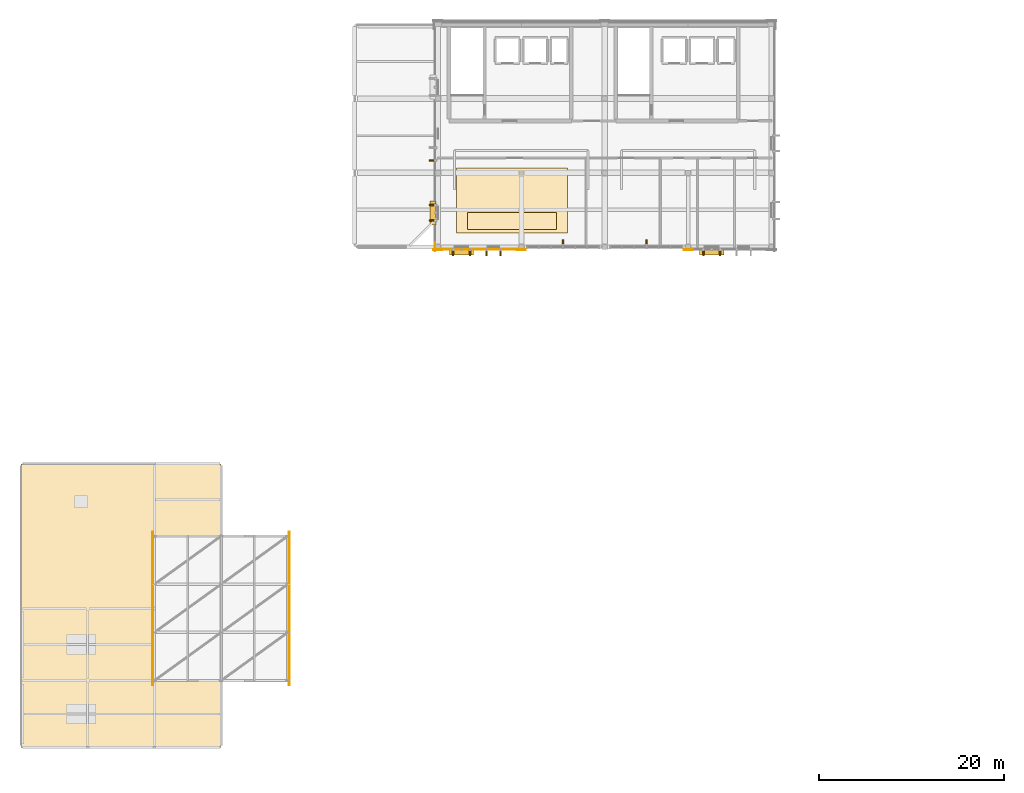
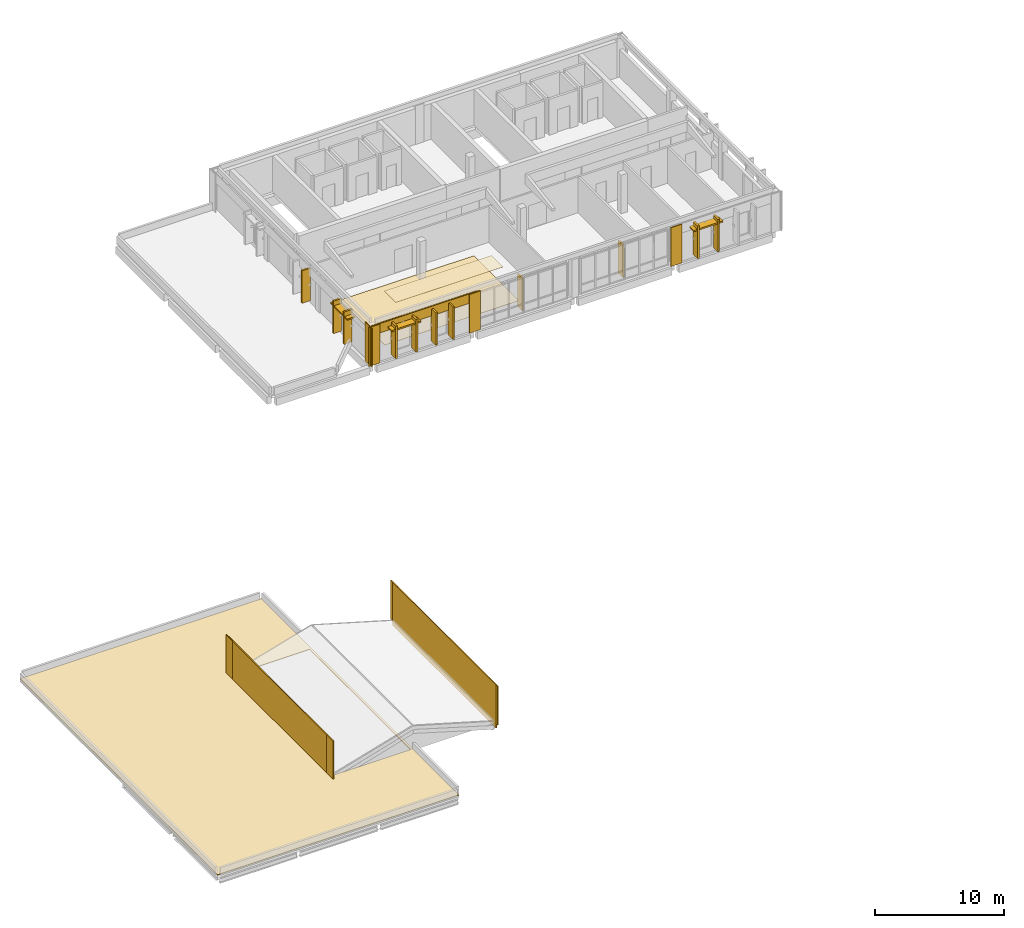
# One storey, part 10 of 12: 14 coverings, 14 shading devices.
"""IFC4 building model written with IfcOpenShell, lengths in metres."""

import ifcopenshell
import ifcopenshell.guid

model = None  # the IFC model being written
_history = None  # IfcOwnerHistory: only IFC2X3 demands one
_inside = {}  # id of a spatial element -> (the spatial element, [elements in it])
_under = {}  # id of a project, library or spatial element -> (it, [spatial elements below it])
_declared = {}  # id of a project -> (the project, [libraries it declares])
_typed = {}  # id of a type object -> (the type object, [elements of that type])
_made_of = {}  # id of a material, layer set ... -> (it, [elements and type objects made of it])


def new_model(schema):
    """Start an empty IFC model of exactly this schema.

    Asked for "IFC4X3", IfcOpenShell would pick the latest addendum, in which some entities
    have other attributes; the version numbers below select the first issue.
    IFC2X3 requires an IfcOwnerHistory on every rooted entity: one is made here for all.
    """
    global model, _history
    if schema == "IFC4X3":
        model = ifcopenshell.file(schema_version=(4, 3, 0, 0))
    else:
        model = ifcopenshell.file(schema=schema)
    _inside.clear()
    _under.clear()
    _declared.clear()
    _typed.clear()
    _made_of.clear()
    _history = None
    if model.schema == "IFC2X3":
        org = make("IfcOrganization", Name="unknown")
        user = make(
            "IfcPersonAndOrganization",
            ThePerson=make("IfcPerson", FamilyName="unknown"),
            TheOrganization=org,
        )
        app = make(
            "IfcApplication",
            ApplicationDeveloper=org,
            Version="unknown",
            ApplicationFullName="unknown",
            ApplicationIdentifier="unknown",
        )
        _history = make(
            "IfcOwnerHistory",
            OwningUser=user,
            OwningApplication=app,
            ChangeAction="ADDED",
            CreationDate=0,
        )
    return model


def make(cls, **values):
    """One entity of the class cls with the attributes given. An attribute that is None is left unset."""
    return model.create_entity(
        cls, **{name: value for name, value in values.items() if value is not None}
    )


def rooted(cls, **values):
    """An entity with a GlobalId (a new one), such as an element, a storey or a relation."""
    return make(cls, GlobalId=ifcopenshell.guid.new(), OwnerHistory=_history, **values)


def si_unit(unit_type, name, prefix=None):
    """IfcSIUnit, for example si_unit("LENGTHUNIT", "METRE", prefix="MILLI")."""
    return make("IfcSIUnit", UnitType=unit_type, Prefix=prefix, Name=name)


def assignment(units):
    """IfcUnitAssignment: the units of a project."""
    return None if units is None else make("IfcUnitAssignment", Units=units)


def point(xyz):
    """IfcCartesianPoint."""
    return None if xyz is None else make("IfcCartesianPoint", Coordinates=xyz)


def direction(xyz):
    """IfcDirection."""
    return None if xyz is None else make("IfcDirection", DirectionRatios=xyz)


def frame(location, z_axis=None, x_axis=None):
    """IfcAxis2Placement3D, a coordinate frame: its origin and axes. An axis left out is left unset."""
    return make(
        "IfcAxis2Placement3D",
        Location=point(location),
        Axis=direction(z_axis),
        RefDirection=direction(x_axis),
    )


def frame_2d(location, x_axis=None):
    """IfcAxis2Placement2D, a coordinate frame in the plane: its origin and x axis."""
    return make(
        "IfcAxis2Placement2D", Location=point(location), RefDirection=direction(x_axis)
    )


def origin():
    """The frame at (0, 0, 0) with its axes left unset."""
    return frame((0.0, 0.0, 0.0))


def origin_2d():
    """The frame at (0, 0) in the plane with its x axis left unset."""
    return frame_2d((0.0, 0.0))


def place(relative_to, where):
    """IfcLocalPlacement: puts the frame where relative to a parent placement (None: the world)."""
    return make(
        "IfcLocalPlacement", PlacementRelTo=relative_to, RelativePlacement=where
    )


def context(
    kind, dimensions, precision=None, world=None, true_north=None, identifier=None
):
    """IfcGeometricRepresentationContext, for example the 3D "Model" context."""
    return make(
        "IfcGeometricRepresentationContext",
        ContextIdentifier=identifier,
        ContextType=kind,
        CoordinateSpaceDimension=dimensions,
        Precision=precision,
        WorldCoordinateSystem=world,
        TrueNorth=true_north,
    )


def subcontext(parent, identifier, kind, view, scale=None):
    """IfcGeometricRepresentationSubContext, for example "Body" below "Model"."""
    return make(
        "IfcGeometricRepresentationSubContext",
        ContextIdentifier=identifier,
        ContextType=kind,
        ParentContext=parent,
        TargetScale=scale,
        TargetView=view,
    )


def project(units=None, contexts=None):
    """IfcProject with its units and contexts."""
    return rooted(
        "IfcProject",
        Name="project",
        RepresentationContexts=contexts,
        UnitsInContext=assignment(units),
    )


def spatial(cls, under=None, at=None, **own):
    """A site, building, storey or space (cls), placed at a placement, below another one or the project."""
    s = rooted(cls, ObjectPlacement=at, **own)
    if under is not None:
        _under.setdefault(under.id(), (under, []))[1].append(s)
    return s


def polyline(points):
    """IfcPolyline through the points."""
    return make("IfcPolyline", Points=[point(p) for p in points])


def profile(cls, at=None, kind="AREA", **sizes):
    """A parametric profile (cls). Its sizes go by their IFC names, for example OverallWidth=200.0."""
    return make(cls, ProfileType=kind, Position=at, **sizes)


def rectangle(**sizes):
    """IfcRectangleProfileDef."""
    return profile("IfcRectangleProfileDef", **sizes)


def outline(outer, holes=None, kind="AREA"):
    """IfcArbitraryClosedProfileDef: a profile drawn as a closed curve; with holes, ...WithVoids."""
    if holes is None:
        return make("IfcArbitraryClosedProfileDef", ProfileType=kind, OuterCurve=outer)
    return make(
        "IfcArbitraryProfileDefWithVoids",
        ProfileType=kind,
        OuterCurve=outer,
        InnerCurves=holes,
    )


def extrude(swept, where, along, depth):
    """IfcExtrudedAreaSolid: the profile swept, set in the frame where, extruded along a direction by depth."""
    return make(
        "IfcExtrudedAreaSolid",
        SweptArea=swept,
        Position=where,
        ExtrudedDirection=direction(along),
        Depth=depth,
    )


def shape(context_of_items, identifier, shape_type, items):
    """IfcShapeRepresentation: the items that make up one representation, for example the "Body"."""
    return make(
        "IfcShapeRepresentation",
        ContextOfItems=context_of_items,
        RepresentationIdentifier=identifier,
        RepresentationType=shape_type,
        Items=items,
    )


def material(Name=None, Category=None):
    """IfcMaterial."""
    return make("IfcMaterial", Name=Name, Category=Category)


def layer(
    of_material, thickness, ventilated=None, Name=None, Category=None, Priority=None
):
    """IfcMaterialLayer: one layer of a wall or slab, of a material (None: an air gap)."""
    return make(
        "IfcMaterialLayer",
        Material=of_material,
        LayerThickness=thickness,
        IsVentilated=ventilated,
        Name=Name,
        Category=Category,
        Priority=Priority,
    )


def layer_set(layers, Name=None):
    """IfcMaterialLayerSet."""
    return make("IfcMaterialLayerSet", MaterialLayers=layers, LayerSetName=Name)


def made_of(thing, what):
    """Note that an element or type object is made of a material, layer set ...; save() writes the relation."""
    if what is not None:
        _made_of.setdefault(what.id(), (what, []))[1].append(thing)
    return thing


def type_object(cls, material=None, **own):
    """A type object (cls), such as IfcWallType, which elements share."""
    return made_of(rooted(cls, **own), material)


def element(
    cls,
    number,
    at=None,
    inside=None,
    cuts=None,
    type_object=None,
    material=None,
    context=None,
    identifier="Body",
    shape_type=None,
    held_by="IfcProductDefinitionShape",
    body=None,
    shapes=None,
    **own,
):
    """One element of the class cls, such as IfcWall. Its Tag is "e" and its number.

    at: its placement. inside: the storey or other place that contains it. cuts: it is an
    opening in that element (IfcRelVoidsElement). A single representation is given by context,
    identifier, shape_type and body (its items); several are given by shapes. held_by: the class
    of the entity that holds the representations. save() writes the other relations.
    """
    e = rooted(cls, Tag="e%d" % number, ObjectPlacement=at, **own)
    if body is not None:
        shapes = [shape(context, identifier, shape_type, body)]
    if shapes is not None:
        e.Representation = make(held_by, Representations=shapes)
    if inside is not None:
        _inside.setdefault(inside.id(), (inside, []))[1].append(e)
    if cuts is not None:
        rooted(
            "IfcRelVoidsElement", RelatingBuildingElement=cuts, RelatedOpeningElement=e
        )
    if type_object is not None:
        _typed.setdefault(type_object.id(), (type_object, []))[1].append(e)
    return made_of(e, material)


def aggregate(whole, parts):
    """IfcRelAggregates: a whole, such as a stair, and the parts it consists of."""
    return rooted("IfcRelAggregates", RelatingObject=whole, RelatedObjects=parts)


def save(model, path):
    """Write the relations noted so far, then the file.

    IfcRelAggregates (storeys below a building ...), IfcRelContainedInSpatialStructure (elements
    in a storey), IfcRelDefinesByType, IfcRelAssociatesMaterial and IfcRelDeclares: one each for
    every whole, place, type object, material and project.
    """
    for whole, parts in _under.values():
        aggregate(whole, parts)
    for where, things in _inside.values():
        rooted(
            "IfcRelContainedInSpatialStructure",
            RelatedElements=things,
            RelatingStructure=where,
        )
    for kind, things in _typed.values():
        rooted("IfcRelDefinesByType", RelatedObjects=things, RelatingType=kind)
    for what, things in _made_of.values():
        rooted("IfcRelAssociatesMaterial", RelatedObjects=things, RelatingMaterial=what)
    for by, libraries in _declared.values():
        rooted("IfcRelDeclares", RelatingContext=by, RelatedDefinitions=libraries)
    model.write(path)


model = new_model("IFC4")

# Units and contexts
model_context = context("Model", 3, precision=1e-05, world=origin(), true_north=direction((0.0, 1.0)))
body_context = subcontext(model_context, "Body", "Model", "MODEL_VIEW")
ifc_project = project(units=[si_unit("LENGTHUNIT", "METRE"), si_unit("AREAUNIT", "SQUARE_METRE"), si_unit("VOLUMEUNIT", "CUBIC_METRE"), si_unit("PLANEANGLEUNIT", "RADIAN"), si_unit("MASSUNIT", "GRAM", prefix="KILO")], contexts=[model_context])

# Site, building, storey
site_placement = place(None, origin())
site = spatial("IfcSite", under=ifc_project, at=site_placement, CompositionType="ELEMENT")
building_placement = place(site_placement, origin())
building = spatial("IfcBuilding", under=site, at=building_placement, Name="Vervanel Yard Central Library", CompositionType="ELEMENT")
storey_placement = place(building_placement, frame((0.0, 0.0, 20.260009765625)))
storey = spatial("IfcBuildingStorey", under=building, at=storey_placement, Name="L05", CompositionType="ELEMENT", Elevation=20.260009765625)

# Coverings
ifc_material_1 = material(Name="Precast concrete C45/55", Category="concrete")
ifc_layer_1 = layer(ifc_material_1, 0.0849609375, Category="concrete")
ifc_layer_set_1 = layer_set([ifc_layer_1], Name="Precast concrete C45/55")
covering_type_1 = type_object("IfcCoveringType", Name="Bush-Hammered Precast Architectural Cladding Panel", PredefinedType="CLADDING", material=ifc_layer_set_1)
covering_1_placement = place(storey_placement, frame((49.5, 89.760009765625, 2.77001953125), z_axis=(0.0, 0.0, 1.0), x_axis=(1.0, 0.0, 0.0)))
element("IfcCovering", 1, at=covering_1_placement, inside=storey, type_object=covering_type_1, Name="L05 Precast Concrete Spandrel Cornice EWALL-L05-0076", PredefinedType="CLADDING", context=body_context, shape_type="SweptSolid", body=[
    extrude(rectangle(XDim=9.449951171875, YDim=0.0849609375, at=origin_2d()), origin(), (0.0, 0.0, 1.0), 0.889892578125),
])
for number, where, z_axis, x_axis, name in (
    (2, (45.0, 89.6826171875, 0.0), (0.0, 0.0, 1.0), (1.0, 0.0, 0.0), "L05 Precast Concrete Pier Pilaster EWALL-L05-0076-A"),
    (3, (54.0, 89.6826171875, 0.0), (0.0, 0.0, 1.0), (1.0, 0.0, 0.0), "L05 Precast Concrete Pier Pilaster EWALL-L05-0076-B"),
    (4, (72.0, 89.6826171875, 0.0), (0.0, 0.0, 1.0), (1.0, 0.0, 0.0), "L05 Precast Concrete Pier Pilaster EWALL-L05-0077-A"),
    (5, (44.6826171875, 90.0, 0.0), (0.0, 0.0, 1.0), (0.0, 1.0, 0.0), "L05 Precast Concrete Pier Pilaster EWALL-L05-0078-A"),
):
    element("IfcCovering", number, at=place(storey_placement, frame(where, z_axis=z_axis, x_axis=x_axis)), inside=storey, type_object=covering_type_1, Name=name, PredefinedType="CLADDING", context=body_context, shape_type="SweptSolid", body=[
        extrude(rectangle(XDim=0.97998046875, YDim=0.0849609375, at=origin_2d()), origin(), (0.0, 0.0, 1.0), 3.659912109375),
    ])
covering_2_placement = place(storey_placement, frame((14.239990234375, 51.0, -0.420166015625), z_axis=(0.0, 0.0, 1.0), x_axis=(0.0, 1.0, 0.0)))
element("IfcCovering", 6, at=covering_2_placement, inside=storey, type_object=covering_type_1, Name="L05 Precast Concrete Spandrel Cornice EWALL-L05-0155", PredefinedType="CLADDING", context=body_context, shape_type="SweptSolid", body=[
    extrude(rectangle(XDim=16.050048828125, YDim=0.0849609375, at=origin_2d()), origin(), (0.0, 0.0, 1.0), 4.080078125),
])
for number, where, z_axis, x_axis, name in (
    (7, (14.237548828125, 43.199951171875, 0.0), (0.0, 0.0, 1.0), (0.0, 1.0, 0.0), "L05 Precast Concrete Pier Pilaster EWALL-L05-0155-A"),
    (8, (14.237548828125, 58.800048828125, 0.0), (0.0, 0.0, 1.0), (0.0, 1.0, 0.0), "L05 Precast Concrete Pier Pilaster EWALL-L05-0155-B"),
):
    element("IfcCovering", number, at=place(storey_placement, frame(where, z_axis=z_axis, x_axis=x_axis)), inside=storey, type_object=covering_type_1, Name=name, PredefinedType="CLADDING", context=body_context, shape_type="SweptSolid", body=[
        extrude(rectangle(XDim=0.97998046875, YDim=0.0849609375, at=origin_2d()), origin(), (0.0, 0.0, 1.0), 3.659912109375),
    ])
covering_3_placement = place(storey_placement, frame((28.9599609375, 51.0, -0.420166015625), z_axis=(0.0, 0.0, 1.0), x_axis=(0.0, 1.0, 0.0)))
element("IfcCovering", 9, at=covering_3_placement, inside=storey, type_object=covering_type_1, Name="L05 Precast Concrete Spandrel Cornice EWALL-L05-0156", PredefinedType="CLADDING", context=body_context, shape_type="SweptSolid", body=[
    extrude(rectangle(XDim=16.050048828125, YDim=0.0849609375, at=origin_2d()), origin(), (0.0, 0.0, 1.0), 4.080078125),
])
for number, where, z_axis, x_axis, name in (
    (10, (28.96240234375, 43.199951171875, 0.0), (0.0, 0.0, 1.0), (0.0, 1.0, 0.0), "L05 Precast Concrete Pier Pilaster EWALL-L05-0156-A"),
    (11, (28.96240234375, 58.800048828125, 0.0), (0.0, 0.0, 1.0), (0.0, 1.0, 0.0), "L05 Precast Concrete Pier Pilaster EWALL-L05-0156-B"),
):
    element("IfcCovering", number, at=place(storey_placement, frame(where, z_axis=z_axis, x_axis=x_axis)), inside=storey, type_object=covering_type_1, Name=name, PredefinedType="CLADDING", context=body_context, shape_type="SweptSolid", body=[
        extrude(rectangle(XDim=0.97998046875, YDim=0.0849609375, at=origin_2d()), origin(), (0.0, 0.0, 1.0), 3.659912109375),
    ])

# Shading devices
shading_device_type_1 = type_object("IfcShadingDeviceType", Name="Horizontal Precast Brise-Soleil Sunhood 2600x680x140", PredefinedType="JALOUSIE", material=ifc_material_1)
for number, where, z_axis, x_axis, name in (
    (12, (47.550048828125, 89.4599609375, 2.97998046875), (0.0, 0.0, 1.0), (1.0, 0.0, 0.0), "L05 Precast Horizontal Sunhood 32"),
    (13, (74.550048828125, 89.4599609375, 2.97998046875), (0.0, 0.0, 1.0), (1.0, 0.0, 0.0), "L05 Precast Horizontal Sunhood 33"),
    (14, (44.47998046875, 93.675048828125, 2.830078125), (0.0, 0.0, 1.0), (0.0, 1.0, 0.0), "L05 Precast Horizontal Sunhood 34"),
):
    element("IfcShadingDevice", number, at=place(storey_placement, frame(where, z_axis=z_axis, x_axis=x_axis)), inside=storey, type_object=shading_device_type_1, Name=name, PredefinedType="JALOUSIE", context=body_context, shape_type="SweptSolid", body=[
        extrude(rectangle(XDim=2.60009765625, YDim=0.679931640625, at=origin_2d()), origin(), (0.0, 0.0, 1.0), 0.139892578125),
    ])

# Coverings
ifc_material_2 = material(Name="Polished river-stone terrazzo flooring", Category="masonry")
ifc_layer_2 = layer(ifc_material_2, 0.02490234375, Category="masonry")
ifc_layer_set_2 = layer_set([ifc_layer_2], Name="Polished river-stone terrazzo flooring")
covering_type_2 = type_object("IfcCoveringType", Name="Polished River-Stone Terrazzo Flooring 25", PredefinedType="FLOORING", material=ifc_layer_set_2)
covering_4_placement = place(storey_placement, origin())
element("IfcCovering", 15, at=covering_4_placement, inside=storey, type_object=covering_type_2, Name="L05 Terrazzo Flooring Bay 14", PredefinedType="FLOORING", context=body_context, shape_type="SweptSolid", body=[
    extrude(outline(polyline([(47.0, 91.5), (59.0, 91.5), (59.0, 98.5), (47.0, 98.5), (47.0, 91.5)])), origin(), (0.0, 0.0, 1.0), 0.02490234375),
])
ifc_material_3 = material(Name="Standing-seam dark zinc-coated metal roofing", Category="metal")
ifc_layer_3 = layer(ifc_material_3, 0.06494140625, Category="metal")
ifc_layer_set_3 = layer_set([ifc_layer_3], Name="Standing-seam dark zinc-coated metal roofing")
covering_type_3 = type_object("IfcCoveringType", Name="Standing-Seam Dark Zinc Roof Assembly", PredefinedType="ROOFING", material=ifc_layer_set_3)
covering_5_placement = place(storey_placement, origin())
element("IfcCovering", 16, at=covering_5_placement, inside=storey, type_object=covering_type_3, Name="L05 Roof Covering ROOF-L05-V2TOP", PredefinedType="ROOFING", context=body_context, shape_type="SweptSolid", body=[
    extrude(outline(polyline([(0.0, 36.0), (21.60009765625, 36.0), (21.60009765625, 66.60009765625), (0.0, 66.60009765625), (0.0, 36.0)]), holes=[polyline([(14.39990234375, 43.199951171875), (21.39990234375, 43.199951171875), (21.39990234375, 58.800048828125), (14.39990234375, 58.800048828125), (14.39990234375, 43.199951171875)])]), origin(), (0.0, 0.0, 1.0), 0.06494140625),
])
ifc_material_4 = material(Name="Perforated mineral-fibre acoustic ceiling", Category="gypsum")
ifc_layer_4 = layer(ifc_material_4, 0.034912109375, Category="gypsum")
ifc_layer_set_4 = layer_set([ifc_layer_4], Name="Perforated mineral-fibre acoustic ceiling")
covering_type_4 = type_object("IfcCoveringType", Name="Suspended Mineral Acoustic Ceiling 35", PredefinedType="CEILING", material=ifc_layer_set_4)
covering_6_placement = place(storey_placement, frame((0.0, 0.0, 3.35498046875)))
element("IfcCovering", 17, at=covering_6_placement, inside=storey, type_object=covering_type_4, Name="L05 Acoustic Ceiling Bay 14", PredefinedType="CEILING", context=body_context, shape_type="SweptSolid", body=[
    extrude(outline(polyline([(48.199951171875, 91.89990234375), (57.800048828125, 91.89990234375), (57.800048828125, 93.699951171875), (48.199951171875, 93.699951171875), (48.199951171875, 91.89990234375)])), origin(), (0.0, 0.0, 1.0), 0.034912109375),
])

# Shading devices
shading_device_type_2 = type_object("IfcShadingDeviceType", Name="Vertical Precast Solar Fin 160x720x3200", PredefinedType="JALOUSIE", material=ifc_material_1)
for number, where, z_axis, x_axis, name in (
    (18, (46.639892578125, 89.429931640625, 0.36474609375), (0.0, 0.0, 1.0), (1.0, 0.0, 0.0), "L05 Precast Solar Fin 205"),
    (19, (48.4599609375, 89.429931640625, 0.36474609375), (0.0, 0.0, 1.0), (1.0, 0.0, 0.0), "L05 Precast Solar Fin 206"),
    (20, (50.239990234375, 89.429931640625, 0.36474609375), (0.0, 0.0, 1.0), (1.0, 0.0, 0.0), "L05 Precast Solar Fin 207"),
    (21, (51.760009765625, 89.429931640625, 0.36474609375), (0.0, 0.0, 1.0), (1.0, 0.0, 0.0), "L05 Precast Solar Fin 208"),
    (22, (58.5, 90.409912109375, 0.14990234375), (0.0, 0.0, 1.0), (1.0, 0.0, 0.0), "L05 Precast Solar Fin 209"),
    (23, (67.5, 90.409912109375, 0.14990234375), (0.0, 0.0, 1.0), (1.0, 0.0, 0.0), "L05 Precast Solar Fin 210"),
    (24, (73.639892578125, 89.429931640625, 0.36474609375), (0.0, 0.0, 1.0), (1.0, 0.0, 0.0), "L05 Precast Solar Fin 211"),
    (25, (75.4599609375, 89.429931640625, 0.36474609375), (0.0, 0.0, 1.0), (1.0, 0.0, 0.0), "L05 Precast Solar Fin 212"),
    (26, (44.449951171875, 92.840087890625, 0.33984375), (0.0, 0.0, 1.0), (0.0, 1.0, 0.0), "L05 Precast Solar Fin 215"),
    (27, (44.449951171875, 94.510009765625, 0.33984375), (0.0, 0.0, 1.0), (0.0, 1.0, 0.0), "L05 Precast Solar Fin 216"),
    (28, (44.449951171875, 99.340087890625, 0.2900390625), (0.0, 0.0, 1.0), (0.0, 1.0, 0.0), "L05 Precast Solar Fin 217"),
):
    element("IfcShadingDevice", number, at=place(storey_placement, frame(where, z_axis=z_axis, x_axis=x_axis)), inside=storey, type_object=shading_device_type_2, Name=name, PredefinedType="JALOUSIE", context=body_context, shape_type="SweptSolid", body=[
        extrude(rectangle(XDim=0.159912109375, YDim=0.719970703125, at=origin_2d()), origin(), (0.0, 0.0, 1.0), 3.070068359375),
    ])

save(model, "model.ifc")
